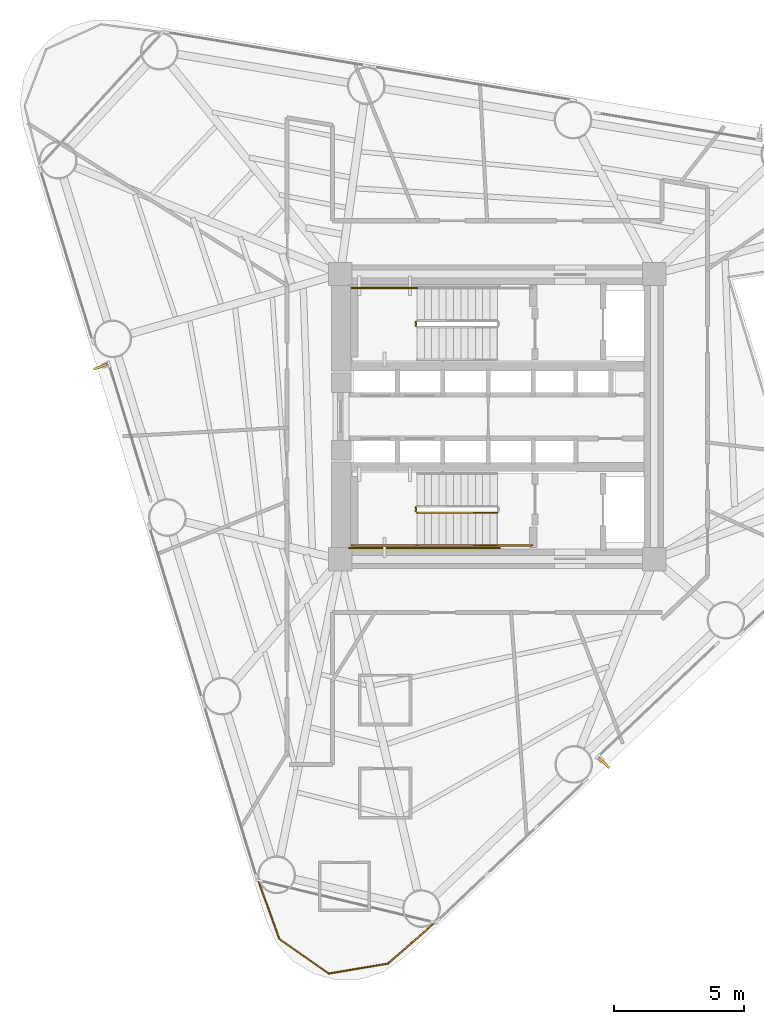
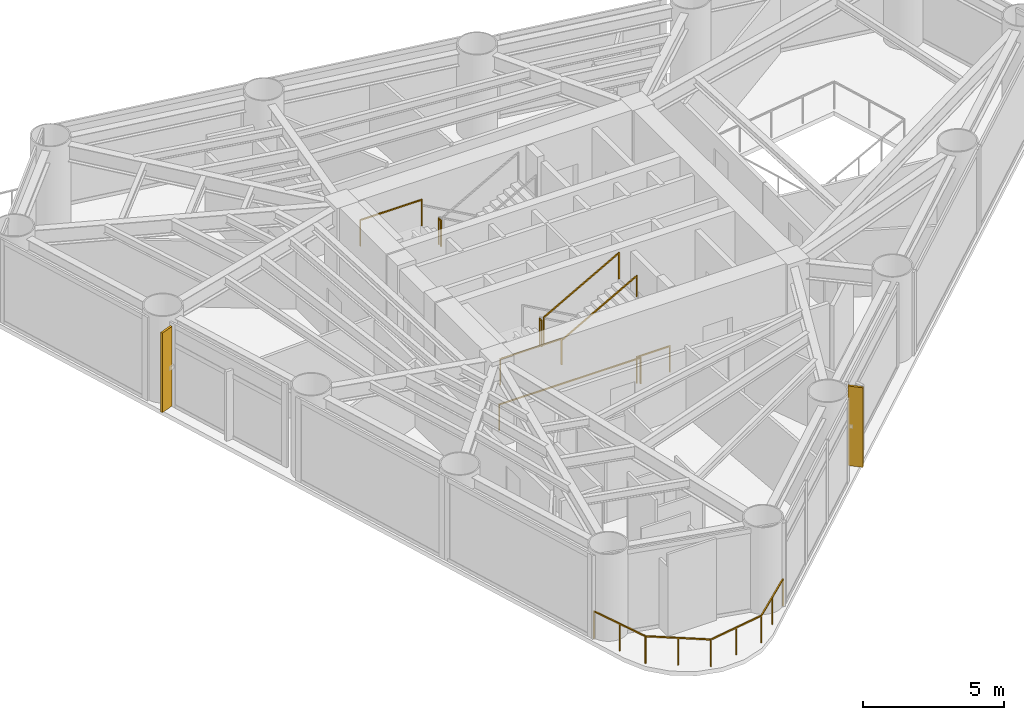
# One storey, part 8 of 10: 9 railings, 2 shading devices.
"""IFC4 building model written with IfcOpenShell, lengths in metres."""

from ifc_helpers import new_model, si_unit, direction, frame, origin, origin_2d, place, context, subcontext, project, spatial, rectangle, extrude, source, transform, mapped, material, material_profile, profile_set, type_object, element, save


model = new_model("IFC4")

# Units and contexts
model_context = context("Model", 3, precision=1e-05, world=origin(), true_north=direction((0.0, 1.0)))
body_context = subcontext(model_context, "Body", "Model", "MODEL_VIEW")
ifc_project = project(units=[si_unit("LENGTHUNIT", "METRE"), si_unit("AREAUNIT", "SQUARE_METRE"), si_unit("VOLUMEUNIT", "CUBIC_METRE"), si_unit("PLANEANGLEUNIT", "RADIAN"), si_unit("MASSUNIT", "GRAM", prefix="KILO")], contexts=[model_context])

# Site, building, storey
site_placement = place(None, origin())
site = spatial("IfcSite", under=ifc_project, at=site_placement, CompositionType="ELEMENT")
building_placement = place(site_placement, origin())
building = spatial("IfcBuilding", under=site, at=building_placement, Name="Yunling Apex Tower", CompositionType="ELEMENT")
storey_placement = place(building_placement, frame((0.0, 0.0, 104.89990234375)))
storey = spatial("IfcBuildingStorey", under=building, at=storey_placement, Name="L26", CompositionType="ELEMENT", Elevation=104.89990234375)

# Railings
ifc_material_1 = material(Name="Bronze anodised aluminium", Category="aluminium")
railing_type_1 = type_object("IfcRailingType", Name="RL-BAL-1200", PredefinedType="BALUSTRADE", material=ifc_material_1)
railing_1_placement = place(storey_placement, frame((-2.412353515625, -19.497314453125, 0.0)))
element("IfcRailing", 1, at=railing_1_placement, inside=storey, type_object=railing_type_1, Name="RL-CRNSILL-L26-3", PredefinedType="BALUSTRADE", context=body_context, shape_type="SweptSolid", body=[
    extrude(rectangle(XDim=0.0439453125, YDim=0.0439453125, at=origin_2d()), origin(), (0.0, 0.0, 1.0), 1.199951171875),
    extrude(rectangle(XDim=0.0439453125, YDim=0.0439453125, at=origin_2d()), frame((-1.796630859375, -1.580078125, 0.0)), (0.0, 0.0, 1.0), 1.199951171875),
    extrude(rectangle(XDim=0.050048828125, YDim=0.050048828125, at=origin_2d()), frame((-0.02880859375, -0.025390625, 1.1748046875), z_axis=(-0.750911858274, -0.660402438748, 0.0), x_axis=(0.660402438748, -0.750911858274, 0.0)), (0.0, 0.0, 1.0), 2.31591796875),
    extrude(rectangle(XDim=0.0439453125, YDim=0.0439453125, at=origin_2d()), frame((-0.8984375, -0.7900390625, 0.0)), (0.0, 0.0, 1.0), 1.14599609375),
    extrude(rectangle(XDim=0.0439453125, YDim=0.0439453125, at=origin_2d()), frame((-4.085205078125, -1.96484375, 0.0)), (0.0, 0.0, 1.0), 1.199951171875),
    extrude(rectangle(XDim=0.050048828125, YDim=0.050048828125, at=origin_2d()), frame((-1.83447265625, -1.58642578125, 1.1748046875), z_axis=(-0.986159782391, -0.165797718908, 0.0), x_axis=(0.165797718908, -0.986159782391, 0.0)), (0.0, 0.0, 1.0), 2.244140625),
    extrude(rectangle(XDim=0.0439453125, YDim=0.0439453125, at=origin_2d()), frame((-2.94091796875, -1.7724609375, 0.0)), (0.0, 0.0, 1.0), 1.14599609375),
    extrude(rectangle(XDim=0.0439453125, YDim=0.0439453125, at=origin_2d()), frame((-5.991943359375, -0.62890625, 0.0)), (0.0, 0.0, 1.0), 1.199951171875),
    extrude(rectangle(XDim=0.050048828125, YDim=0.050048828125, at=origin_2d()), frame((-4.11669921875, -1.94287109375, 1.1748046875), z_axis=(-0.818985520809, 0.573814183081, 0.0), x_axis=(-0.573814183081, -0.818985520809, 0.0)), (0.0, 0.0, 1.0), 2.25146484375),
    extrude(rectangle(XDim=0.0439453125, YDim=0.0439453125, at=origin_2d()), frame((-5.03857421875, -1.296875, 0.0)), (0.0, 0.0, 1.0), 1.14599609375),
    extrude(rectangle(XDim=0.0439453125, YDim=0.0439453125, at=origin_2d()), frame((-6.80224609375, 1.62158203125, 0.0)), (0.0, 0.0, 1.0), 1.199951171875),
    extrude(rectangle(XDim=0.050048828125, YDim=0.050048828125, at=origin_2d()), frame((-6.0048828125, -0.5927734375, 1.1748046875), z_axis=(-0.338766454211, 0.940870495606, 0.0), x_axis=(-0.940870495606, -0.338766454211, 0.0)), (0.0, 0.0, 1.0), 2.315185546875),
    extrude(rectangle(XDim=0.0439453125, YDim=0.0439453125, at=origin_2d()), frame((-6.39697265625, 0.496337890625, 0.0)), (0.0, 0.0, 1.0), 1.14599609375),
])
ifc_material_2 = material(Name="Steel Q355B", Category="steel")
railing_type_2 = type_object("IfcRailingType", Name="RL-GRD-1150", PredefinedType="GUARDRAIL", material=ifc_material_2)
railing_2_placement = place(storey_placement, frame((-3.139892578125, 3.64990234375, 1.875)))
element("IfcRailing", 2, at=railing_2_placement, inside=storey, type_object=railing_type_2, Name="L26 ST-1 stair guard 2", PredefinedType="GUARDRAIL", context=body_context, shape_type="SweptSolid", body=[
    extrude(rectangle(XDim=0.0439453125, YDim=0.0439453125, at=origin_2d()), origin(), (0.0, 0.0, 1.0), 1.14990234375),
    extrude(rectangle(XDim=0.0439453125, YDim=0.0439453125, at=origin_2d()), frame((0.0, -0.14990234375, 0.0)), (0.0, 0.0, 1.0), 1.14990234375),
    extrude(rectangle(XDim=0.050048828125, YDim=0.050048828125, at=origin_2d()), frame((0.0, -0.038330078125, 1.125), z_axis=(0.0, -1.0, 0.0), x_axis=(1.0, 0.0, 0.0)), (0.0, 0.0, 1.0), 0.0732421875),
])
railing_3_placement = place(storey_placement, frame((-3.090087890625, 4.9599609375, 1.875)))
element("IfcRailing", 3, at=railing_3_placement, inside=storey, type_object=railing_type_2, Name="L26 ST-1 stair guard 3", PredefinedType="GUARDRAIL", context=body_context, shape_type="SweptSolid", body=[
    extrude(rectangle(XDim=0.0439453125, YDim=0.0439453125, at=origin_2d()), origin(), (0.0, 0.0, 1.0), 1.14990234375),
    extrude(rectangle(XDim=0.0439453125, YDim=0.0439453125, at=origin_2d()), frame((-2.510009765625, 0.0, 0.0)), (0.0, 0.0, 1.0), 1.14990234375),
    extrude(rectangle(XDim=0.050048828125, YDim=0.050048828125, at=origin_2d()), frame((-0.038330078125, 0.0, 1.125), z_axis=(-1.0, 0.0, 0.0), x_axis=(0.0, -1.0, 0.0)), (0.0, 0.0, 1.0), 2.433349609375),
])
railing_4_placement = place(storey_placement, frame((-3.139892578125, -3.5, 1.875)))
element("IfcRailing", 4, at=railing_4_placement, inside=storey, type_object=railing_type_2, Name="L26 ST-2 stair guard 2", PredefinedType="GUARDRAIL", context=body_context, shape_type="SweptSolid", body=[
    extrude(rectangle(XDim=0.0439453125, YDim=0.0439453125, at=origin_2d()), origin(), (0.0, 0.0, 1.0), 1.14990234375),
    extrude(rectangle(XDim=0.0439453125, YDim=0.0439453125, at=origin_2d()), frame((0.0, -0.14990234375, 0.0)), (0.0, 0.0, 1.0), 1.14990234375),
    extrude(rectangle(XDim=0.050048828125, YDim=0.050048828125, at=origin_2d()), frame((0.0, -0.038330078125, 1.125), z_axis=(0.0, -1.0, 0.0), x_axis=(1.0, 0.0, 0.0)), (0.0, 0.0, 1.0), 0.0732421875),
])
railing_5_placement = place(storey_placement, frame((-3.090087890625, -4.9599609375, 1.875)))
element("IfcRailing", 5, at=railing_5_placement, inside=storey, type_object=railing_type_2, Name="L26 ST-2 stair guard 3", PredefinedType="GUARDRAIL", context=body_context, shape_type="SweptSolid", body=[
    extrude(rectangle(XDim=0.0439453125, YDim=0.0439453125, at=origin_2d()), origin(), (0.0, 0.0, 1.0), 1.14990234375),
    extrude(rectangle(XDim=0.0439453125, YDim=0.0439453125, at=origin_2d()), frame((-2.510009765625, 0.0, 0.0)), (0.0, 0.0, 1.0), 1.14990234375),
    extrude(rectangle(XDim=0.050048828125, YDim=0.050048828125, at=origin_2d()), frame((-0.038330078125, 0.0, 1.125), z_axis=(-1.0, 0.0, 0.0), x_axis=(0.0, -1.0, 0.0)), (0.0, 0.0, 1.0), 2.433349609375),
])
railing_6_placement = place(storey_placement, frame((-3.090087890625, -3.699951171875, 2.03125)))
element("IfcRailing", 6, at=railing_6_placement, inside=storey, type_object=railing_type_2, Name="L26 ST-2 stair guard 4", PredefinedType="GUARDRAIL", context=body_context, shape_type="SweptSolid", body=[
    extrude(rectangle(XDim=0.0439453125, YDim=0.0439453125, at=origin_2d()), origin(), (0.0, 0.0, 1.0), 1.14990234375),
    extrude(rectangle(XDim=0.0439453125, YDim=0.0439453125, at=origin_2d()), frame((3.080078125, 0.0, 1.71875)), (0.0, 0.0, 1.0), 1.14990234375),
    extrude(rectangle(XDim=0.050048828125, YDim=0.050048828125, at=origin_2d()), frame((0.033447265625, 0.0, 1.1435546875), z_axis=(0.873241540666, 0.0, 0.487287606713), x_axis=(0.0, 1.0, 0.0)), (0.0, 0.0, 1.0), 3.450439453125),
])
railing_7_placement = place(storey_placement, frame((1.35009765625, -4.9599609375, 0.0)))
element("IfcRailing", 7, at=railing_7_placement, inside=storey, type_object=railing_type_2, Name="L26 ST-2 stair guard 6", PredefinedType="GUARDRAIL", context=body_context, shape_type="SweptSolid", body=[
    extrude(rectangle(XDim=0.0439453125, YDim=0.0439453125, at=origin_2d()), origin(), (0.0, 0.0, 1.0), 1.14990234375),
    extrude(rectangle(XDim=0.0439453125, YDim=0.0439453125, at=origin_2d()), frame((-1.360107421875, 0.0, 0.0)), (0.0, 0.0, 1.0), 1.14990234375),
    extrude(rectangle(XDim=0.050048828125, YDim=0.050048828125, at=origin_2d()), frame((-0.038330078125, 0.0, 1.125), z_axis=(-1.0, 0.0, 0.0), x_axis=(0.0, -1.0, 0.0)), (0.0, 0.0, 1.0), 1.283447265625),
])
railing_8_placement = place(storey_placement, frame((0.090087890625, -5.06005859375, 0.0)))
element("IfcRailing", 8, at=railing_8_placement, inside=storey, type_object=railing_type_2, Name="L26 ST-2 stair guard 7", PredefinedType="GUARDRAIL", context=body_context, shape_type="SweptSolid", body=[
    extrude(rectangle(XDim=0.0439453125, YDim=0.0439453125, at=origin_2d()), origin(), (0.0, 0.0, 1.0), 1.14990234375),
    extrude(rectangle(XDim=0.0439453125, YDim=0.0439453125, at=origin_2d()), frame((-5.7900390625, 0.0, 0.0)), (0.0, 0.0, 1.0), 1.14990234375),
    extrude(rectangle(XDim=0.050048828125, YDim=0.050048828125, at=origin_2d()), frame((-0.038330078125, 0.0, 1.125), z_axis=(-1.0, 0.0, 0.0), x_axis=(0.0, -1.0, 0.0)), (0.0, 0.0, 1.0), 5.71337890625),
])
ifc_material_3 = material(Name="Silver anodised aluminium", Category="aluminium")
railing_type_3 = type_object("IfcRailingType", Name="RL-HND-900", PredefinedType="HANDRAIL", material=ifc_material_3)
railing_9_placement = place(storey_placement, frame((-3.090087890625, -4.9599609375, 2.03125)))
element("IfcRailing", 9, at=railing_9_placement, inside=storey, type_object=railing_type_3, Name="L26 ST-2 stair handrail 2", PredefinedType="HANDRAIL", context=body_context, shape_type="SweptSolid", body=[
    extrude(rectangle(XDim=0.0439453125, YDim=0.0439453125, at=origin_2d()), origin(), (0.0, 0.0, 1.0), 0.919921875),
    extrude(rectangle(XDim=0.0439453125, YDim=0.0439453125, at=origin_2d()), frame((3.080078125, 0.0, 1.71875)), (0.0, 0.0, 1.0), 0.919921875),
    extrude(rectangle(XDim=0.050048828125, YDim=0.050048828125, at=origin_2d()), frame((0.033447265625, 0.0, 0.91357421875), z_axis=(0.873241540666, 0.0, 0.487287606713), x_axis=(0.0, 1.0, 0.0)), (0.0, 0.0, 1.0), 3.450439453125),
])

# Shading devices
ifc_material_profile = material_profile(ifc_material_1, rectangle(XDim=0.0849609375, YDim=0.550048828125, at=origin_2d()))
ifc_profile_set = profile_set([ifc_material_profile], Name="Bronze anodised aluminium")
shading_device_type = type_object("IfcShadingDeviceType", Name="FN-BRZ-3", PredefinedType="USERDEFINED", material=ifc_profile_set)
shared_shape = source(origin(), body_context, "Body", "SweptSolid", [
    extrude(rectangle(XDim=0.0849609375, YDim=0.550048828125, at=origin_2d()), origin(), (0.0, 0.0, 1.0), 3.445068359375),
])
for number, where, z_axis, x_axis, name in (
    (10, (4.11376953125, -13.347412109375, 0.06005859375), (0.0, 0.0, 1.0), (0.679313233894, 0.733848438205, 0.0), "CW-L26-F1-B2-FIN-01"),
    (11, (-15.29443359375, 1.92529296875, 0.06005859375), (0.0, 0.0, 1.0), (0.354291037998, -0.935135209686, 0.0), "CW-L26-F3-B2-FIN-01"),
):
    element("IfcShadingDevice", number, at=place(storey_placement, frame(where, z_axis=z_axis, x_axis=x_axis)), inside=storey, type_object=shading_device_type, Name=name, ObjectType="FIN", PredefinedType="USERDEFINED", context=body_context, shape_type="MappedRepresentation", body=[
        mapped(shared_shape, transform((0.0, 0.0, 0.0), scale=1.0)),
    ])

save(model, "model.ifc")
